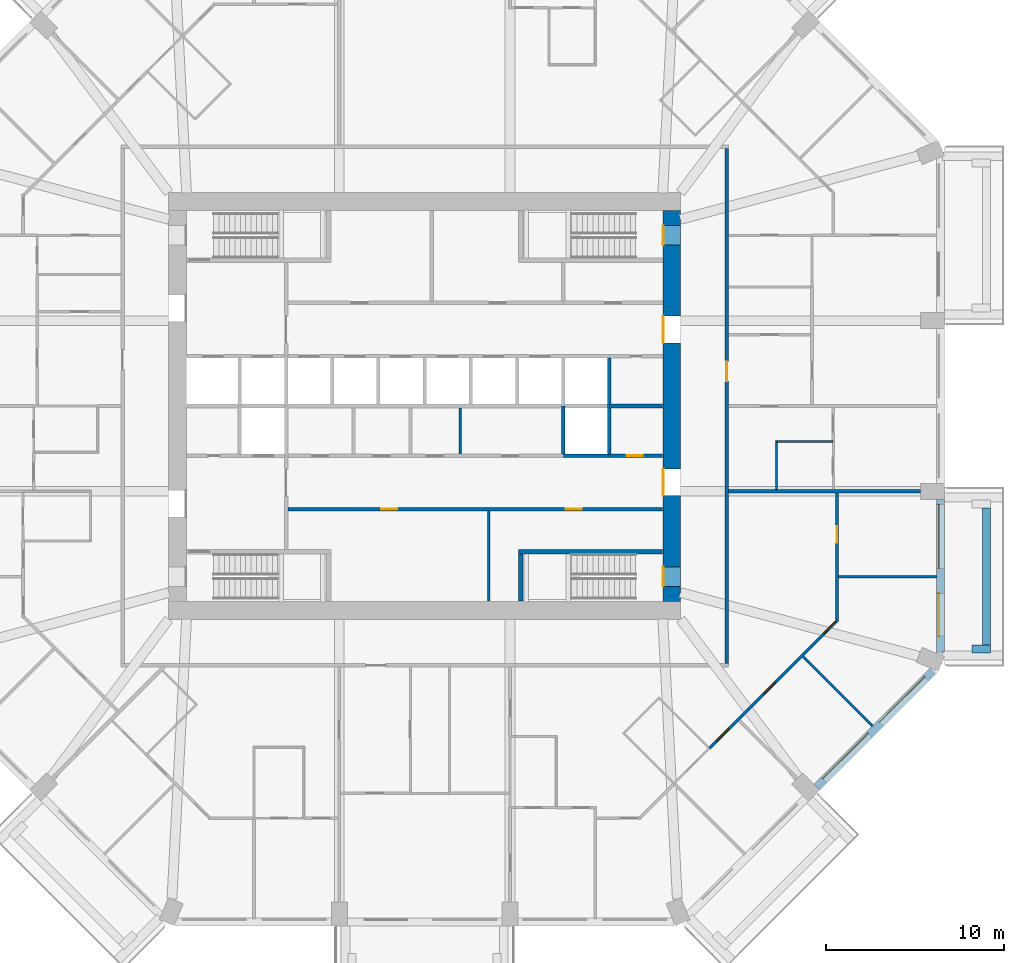
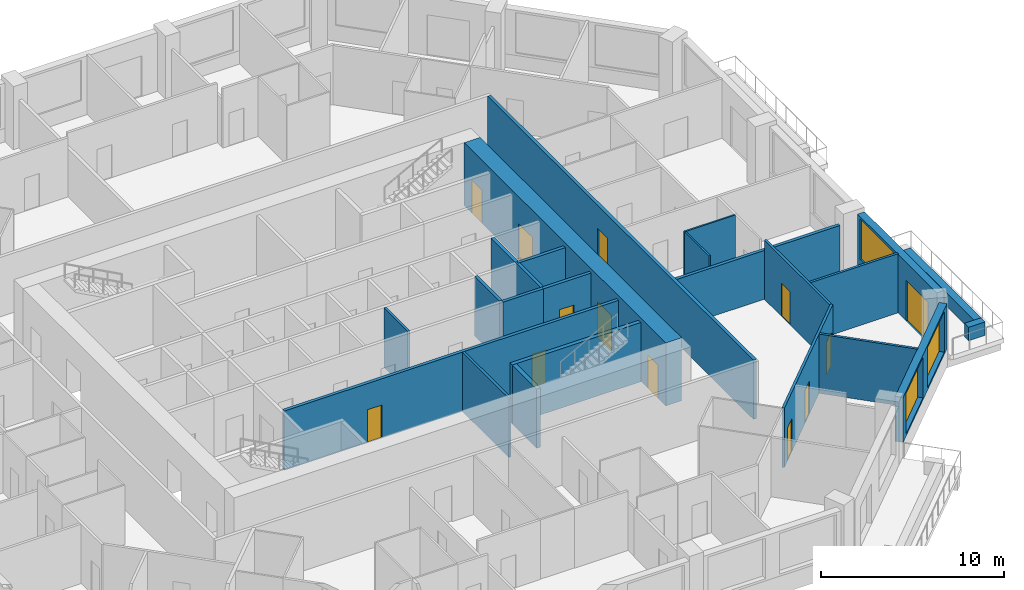
# One storey, part 6 of 13: 23 walls, 13 doors, 3 windows, 16 openings.
"""IFC4 building model written with IfcOpenShell, lengths in metres."""

from ifc_helpers import new_model, si_unit, direction, frame, frame_2d, origin, place, context, subcontext, project, spatial, rectangle, extrude, material, layer, layer_set, type_object, element, fill, save


model = new_model("IFC4")

# Units and contexts
model_context = context("Model", 3, precision=1e-05, world=origin(), true_north=direction((0.0, 1.0)))
body_context = subcontext(model_context, "Body", "Model", "MODEL_VIEW")
ifc_project = project(units=[si_unit("LENGTHUNIT", "METRE"), si_unit("AREAUNIT", "SQUARE_METRE"), si_unit("VOLUMEUNIT", "CUBIC_METRE"), si_unit("PLANEANGLEUNIT", "RADIAN"), si_unit("MASSUNIT", "GRAM", prefix="KILO")], contexts=[model_context])

# Site, building, storey
site_placement = place(None, origin())
site = spatial("IfcSite", under=ifc_project, at=site_placement, CompositionType="ELEMENT")
building_placement = place(site_placement, origin())
building = spatial("IfcBuilding", under=site, at=building_placement, Name="Msitu Wima Residences", CompositionType="ELEMENT")
storey_placement = place(building_placement, frame((0.0, 0.0, 59.10009765625)))
storey = spatial("IfcBuildingStorey", under=building, at=storey_placement, Name="L13", CompositionType="ELEMENT", Elevation=59.10009765625)

# Walls
ifc_material_1 = material(Name="Facing brick")
ifc_layer_1 = layer(ifc_material_1, 0.06494140625, Name="Facing brick")
ifc_material_2 = material(Name="Concrete C40/50", Category="concrete")
ifc_layer_2 = layer(ifc_material_2, 0.156005859375, Name="Concrete C40/50")
ifc_material_3 = material(Name="Waterproofing membrane")
ifc_layer_3 = layer(ifc_material_3, 0.00390625, Name="Waterproofing membrane")
ifc_material_4 = material(Name="Planting soil and planting")
ifc_layer_4 = layer(ifc_material_4, 0.22509765625, Name="Planting soil and planting")
ifc_layer_set_1 = layer_set([ifc_layer_1, ifc_layer_2, ifc_layer_3, ifc_layer_4], Name="Concrete C40/50")
wall_type_1 = type_object("IfcWallType", Name="Balcony planter PLANTER PL450", PredefinedType="USERDEFINED", material=ifc_layer_set_1)
wall_1_placement = place(storey_placement, frame((31.625, -13.449951171875, 0.0), z_axis=(0.0, 0.0, 1.0), x_axis=(0.0, 1.0, 0.0)))
element("IfcWall", 1, at=wall_1_placement, inside=storey, type_object=wall_type_1, Name="Balcony planter E0 L13", ObjectType="PLANTER", PredefinedType="USERDEFINED", context=body_context, shape_type="SweptSolid", body=[
    extrude(rectangle(XDim=7.699951171875, YDim=0.449951171875, at=frame_2d((3.85009765625, 0.0))), origin(), (0.0, 0.0, 1.0), 0.89990234375),
])
wall_2_placement = place(storey_placement, frame((30.800048828125, -13.675048828125, 0.0), z_axis=(0.0, 0.0, 1.0), x_axis=(1.0, 0.0, 0.0)))
element("IfcWall", 2, at=wall_2_placement, inside=storey, type_object=wall_type_1, Name="Balcony planter E0 L13", ObjectType="PLANTER", PredefinedType="USERDEFINED", context=body_context, shape_type="SweptSolid", body=[
    extrude(rectangle(XDim=1.050048828125, YDim=0.449951171875, at=frame_2d((0.52490234375, 0.0))), origin(), (0.0, 0.0, 1.0), 0.89990234375),
])

# Wall, openings, door, window
ifc_material_5 = material(Name="Brick (red buff mix)", Category="masonry")
ifc_layer_5 = layer(ifc_material_5, 0.449951171875)
ifc_layer_set_2 = layer_set([ifc_layer_5], Name="Brick (red buff mix)")
wall_type_2 = type_object("IfcWallType", Name="Brick infill wall BW450", PredefinedType="SOLIDWALL", material=ifc_layer_set_2)
wall_3_placement = place(storey_placement, frame((29.02490234375, -13.912841796875, 0.0), z_axis=(0.0, 0.0, 1.0), x_axis=(0.0, 1.0, 0.0)))
wall_3 = element("IfcWall", 3, at=wall_3_placement, inside=storey, type_object=wall_type_2, Name="Brick infill wall L13 E0", PredefinedType="SOLIDWALL", context=body_context, shape_type="SweptSolid", body=[
    extrude(rectangle(XDim=8.662841796875, YDim=0.449951171875, at=frame_2d((4.33154296875, 0.0))), origin(), (0.0, 0.0, 1.0), 3.89990234375),
])
opening_1_placement = place(wall_3_placement, frame((0.9658203125, 0.0, 0.0)))
opening_1 = element("IfcOpeningElement", 4, at=opening_1_placement, cuts=wall_3, Name="Opening D13-15.001", PredefinedType="OPENING", context=body_context, shape_type="SweptSolid", body=[
    extrude(rectangle(XDim=2.39990234375, YDim=2.699951171875, at=frame_2d((1.199951171875, 1.35009765625))), frame((0.0, 0.23486328125, 0.0), z_axis=(0.0, -1.0, 0.0), x_axis=(1.0, 0.0, 0.0)), (0.0, 0.0, 1.0), 0.469970703125),
])
opening_2_placement = place(wall_3_placement, frame((4.781494140625, 0.0, 1.050048828125)))
opening_2 = element("IfcOpeningElement", 5, at=opening_2_placement, cuts=wall_3, Name="Opening W13-15.001", PredefinedType="OPENING", context=body_context, shape_type="SweptSolid", body=[
    extrude(rectangle(XDim=3.60009765625, YDim=2.699951171875, at=frame_2d((1.800048828125, 1.35009765625))), frame((0.0, 0.23486328125, 0.0), z_axis=(0.0, -1.0, 0.0), x_axis=(1.0, 0.0, 0.0)), (0.0, 0.0, 1.0), 0.469970703125),
])
ifc_material_6 = material(Name="Anodised aluminium, bronze finish, clear low-emissivity double glazing", Category="aluminium")
door_type_1 = type_object("IfcDoorType", Name="Balcony door D2400x2700", OperationType="SLIDING_TO_LEFT", PredefinedType="DOOR", material=ifc_material_6)
door_1_placement = place(opening_1_placement, origin())
door_1 = element("IfcDoor", 6, at=door_1_placement, inside=storey, type_object=door_type_1, Name="Balcony door L13 E0", OperationType="SINGLE_SWING_LEFT", OverallHeight=2.699951171875, OverallWidth=2.39990234375, PredefinedType="DOOR", context=body_context, shape_type="SweptSolid", body=[
    extrude(rectangle(XDim=2.39990234375, YDim=2.699951171875, at=frame_2d((1.199951171875, 1.35009765625))), frame((0.0, 0.1298828125, 0.0), z_axis=(0.0, -1.0, 0.0), x_axis=(1.0, 0.0, 0.0)), (0.0, 0.0, 1.0), 0.050048828125),
])
fill(opening_1, door_1)
window_type = type_object("IfcWindowType", Name="Window W3600x2700", PartitioningType="DOUBLE_PANEL_VERTICAL", PredefinedType="WINDOW", material=ifc_material_6)
window_1_placement = place(opening_2_placement, origin())
window_1 = element("IfcWindow", 7, at=window_1_placement, inside=storey, type_object=window_type, Name="Window L13 E0.2", OverallHeight=2.699951171875, OverallWidth=3.60009765625, PartitioningType="SINGLE_PANEL", PredefinedType="WINDOW", context=body_context, shape_type="SweptSolid", body=[
    extrude(rectangle(XDim=3.60009765625, YDim=2.699951171875, at=frame_2d((1.800048828125, 1.35009765625))), frame((0.0, 0.135009765625, 0.0), z_axis=(0.0, -1.0, 0.0), x_axis=(1.0, 0.0, 0.0)), (0.0, 0.0, 1.0), 0.06005859375),
])
fill(opening_2, window_1)

# Wall, openings, windows
wall_4_placement = place(storey_placement, frame((22.077392578125, -21.44091796875, 0.89990234375), z_axis=(0.0, 0.0, 1.0), x_axis=(0.707106781187, 0.707106781187, 0.0)))
wall_4 = element("IfcWall", 8, at=wall_4_placement, inside=storey, type_object=wall_type_2, Name="Brick infill wall L13 SE1", PredefinedType="SOLIDWALL", context=body_context, shape_type="SweptSolid", body=[
    extrude(rectangle(XDim=9.2451171875, YDim=0.449951171875, at=frame_2d((4.62255859375, 0.0))), origin(), (0.0, 0.0, 1.0), 3.0),
])
opening_3_placement = place(wall_4_placement, frame((0.572509765625, 0.0, 0.14990234375)))
opening_3 = element("IfcOpeningElement", 9, at=opening_3_placement, cuts=wall_4, Name="Opening W13-15.022", PredefinedType="OPENING", context=body_context, shape_type="SweptSolid", body=[
    extrude(rectangle(XDim=3.60009765625, YDim=2.699951171875, at=frame_2d((1.800048828125, 1.35009765625))), frame((0.0, 0.23486328125, 0.0), z_axis=(0.0, -1.0, 0.0), x_axis=(1.0, 0.0, 0.0)), (0.0, 0.0, 1.0), 0.469970703125),
])
opening_4_placement = place(wall_4_placement, frame((5.072509765625, 0.0, 0.14990234375)))
opening_4 = element("IfcOpeningElement", 10, at=opening_4_placement, cuts=wall_4, Name="Opening W13-15.023", PredefinedType="OPENING", context=body_context, shape_type="SweptSolid", body=[
    extrude(rectangle(XDim=3.60009765625, YDim=2.699951171875, at=frame_2d((1.800048828125, 1.35009765625))), frame((0.0, 0.23486328125, 0.0), z_axis=(0.0, -1.0, 0.0), x_axis=(1.0, 0.0, 0.0)), (0.0, 0.0, 1.0), 0.469970703125),
])
window_2_placement = place(opening_3_placement, origin())
window_2 = element("IfcWindow", 11, at=window_2_placement, inside=storey, type_object=window_type, Name="Window L13 SE1.1", OverallHeight=2.699951171875, OverallWidth=3.60009765625, PartitioningType="SINGLE_PANEL", PredefinedType="WINDOW", context=body_context, shape_type="SweptSolid", body=[
    extrude(rectangle(XDim=3.60009765625, YDim=2.699951171875, at=frame_2d((1.800048828125, 1.35009765625))), frame((0.0, 0.135009765625, 0.0), z_axis=(0.0, -1.0, 0.0), x_axis=(1.0, 0.0, 0.0)), (0.0, 0.0, 1.0), 0.06005859375),
])
fill(opening_3, window_2)
window_3_placement = place(opening_4_placement, origin())
window_3 = element("IfcWindow", 12, at=window_3_placement, inside=storey, type_object=window_type, Name="Window L13 SE1.2", OverallHeight=2.699951171875, OverallWidth=3.60009765625, PartitioningType="SINGLE_PANEL", PredefinedType="WINDOW", context=body_context, shape_type="SweptSolid", body=[
    extrude(rectangle(XDim=3.60009765625, YDim=2.699951171875, at=frame_2d((1.800048828125, 1.35009765625))), frame((0.0, 0.135009765625, 0.0), z_axis=(0.0, -1.0, 0.0), x_axis=(1.0, 0.0, 0.0)), (0.0, 0.0, 1.0), 0.06005859375),
])
fill(opening_4, window_3)

# Wall, openings, doors
ifc_material_7 = material(Name="Concrete C80/95", Category="concrete")
ifc_layer_6 = layer(ifc_material_7, 1.0)
ifc_layer_set_3 = layer_set([ifc_layer_6], Name="Concrete C80/95")
wall_type_3 = type_object("IfcWallType", Name="Core wall CW1000 C80/95", PredefinedType="SHEAR", material=ifc_layer_set_3)
wall_5_placement = place(storey_placement, frame((13.89990234375, -11.0, 0.0), z_axis=(0.0, 0.0, 1.0), x_axis=(0.0, 1.0, 0.0)))
wall_5 = element("IfcWall", 13, at=wall_5_placement, inside=storey, type_object=wall_type_3, Name="Core wall", PredefinedType="SHEAR", context=body_context, shape_type="SweptSolid", body=[
    extrude(rectangle(XDim=22.0, YDim=1.0, at=frame_2d((11.0, 0.0))), origin(), (0.0, 0.0, 1.0), 4.199951171875),
])
opening_5_placement = place(wall_5_placement, frame((20.050048828125, 0.0, 0.0)))
opening_5 = element("IfcOpeningElement", 14, at=opening_5_placement, cuts=wall_5, Name="Opening D13-15.036", PredefinedType="OPENING", context=body_context, shape_type="SweptSolid", body=[
    extrude(rectangle(XDim=1.10009765625, YDim=2.199951171875, at=frame_2d((0.550048828125, 1.10009765625))), frame((0.0, 0.510009765625, 0.0), z_axis=(0.0, -1.0, 0.0), x_axis=(1.0, 0.0, 0.0)), (0.0, 0.0, 1.0), 1.02001953125),
])
opening_6_placement = place(wall_5_placement, frame((0.85009765625, 0.0, 0.0)))
opening_6 = element("IfcOpeningElement", 15, at=opening_6_placement, cuts=wall_5, Name="Opening D13-15.037", PredefinedType="OPENING", context=body_context, shape_type="SweptSolid", body=[
    extrude(rectangle(XDim=1.10009765625, YDim=2.199951171875, at=frame_2d((0.550048828125, 1.10009765625))), frame((0.0, 0.510009765625, 0.0), z_axis=(0.0, -1.0, 0.0), x_axis=(1.0, 0.0, 0.0)), (0.0, 0.0, 1.0), 1.02001953125),
])
opening_7_placement = place(wall_5_placement, frame((14.550048828125, 0.0, 0.0)))
opening_7 = element("IfcOpeningElement", 16, at=opening_7_placement, cuts=wall_5, Name="Opening D13-15.024", PredefinedType="OPENING", context=body_context, shape_type="SweptSolid", body=[
    extrude(rectangle(XDim=1.5, YDim=2.39990234375, at=frame_2d((0.75, 1.199951171875))), frame((0.0, 0.510009765625, 0.0), z_axis=(0.0, -1.0, 0.0), x_axis=(1.0, 0.0, 0.0)), (0.0, 0.0, 1.0), 1.02001953125),
])
opening_8_placement = place(wall_5_placement, frame((5.949951171875, 0.0, 0.0)))
opening_8 = element("IfcOpeningElement", 17, at=opening_8_placement, cuts=wall_5, Name="Opening D13-15.025", PredefinedType="OPENING", context=body_context, shape_type="SweptSolid", body=[
    extrude(rectangle(XDim=1.5, YDim=2.39990234375, at=frame_2d((0.75, 1.199951171875))), frame((0.0, 0.510009765625, 0.0), z_axis=(0.0, -1.0, 0.0), x_axis=(1.0, 0.0, 0.0)), (0.0, 0.0, 1.0), 1.02001953125),
])
ifc_material_8 = material(Name="Steel framed glazed door, fire resisting", Category="steel")
door_type_2 = type_object("IfcDoorType", Name="Lobby door D07 1500x2400", OperationType="DOUBLE_DOOR_SINGLE_SWING", PredefinedType="DOOR", material=ifc_material_8)
door_2_placement = place(opening_7_placement, origin())
door_2 = element("IfcDoor", 18, at=door_2_placement, inside=storey, type_object=door_type_2, Name="Lobby door", OperationType="DOUBLE_DOOR_SINGLE_SWING", OverallHeight=2.39990234375, OverallWidth=1.5, PredefinedType="DOOR", context=body_context, shape_type="SweptSolid", body=[
    extrude(rectangle(XDim=1.5, YDim=2.39990234375, at=frame_2d((0.75, 1.199951171875))), frame((0.0, 0.4951171875, 0.0), z_axis=(0.0, -1.0, 0.0), x_axis=(1.0, 0.0, 0.0)), (0.0, 0.0, 1.0), 0.050048828125),
])
fill(opening_7, door_2)
door_3_placement = place(opening_8_placement, origin())
door_3 = element("IfcDoor", 19, at=door_3_placement, inside=storey, type_object=door_type_2, Name="Lobby door", OperationType="DOUBLE_DOOR_SINGLE_SWING", OverallHeight=2.39990234375, OverallWidth=1.5, PredefinedType="DOOR", context=body_context, shape_type="SweptSolid", body=[
    extrude(rectangle(XDim=1.5, YDim=2.39990234375, at=frame_2d((0.75, 1.199951171875))), frame((0.0, 0.4951171875, 0.0), z_axis=(0.0, -1.0, 0.0), x_axis=(1.0, 0.0, 0.0)), (0.0, 0.0, 1.0), 0.050048828125),
])
fill(opening_8, door_3)
ifc_material_9 = material(Name="Steel door, fire resisting, panic bar", Category="steel")
door_type_3 = type_object("IfcDoorType", Name="Stair door D06 1100x2200", OperationType="SINGLE_SWING_LEFT", PredefinedType="DOOR", material=ifc_material_9)
door_4_placement = place(opening_5_placement, origin())
door_4 = element("IfcDoor", 20, at=door_4_placement, inside=storey, type_object=door_type_3, Name="Stair door", OperationType="SINGLE_SWING_LEFT", OverallHeight=2.199951171875, OverallWidth=1.10009765625, PredefinedType="DOOR", context=body_context, shape_type="SweptSolid", body=[
    extrude(rectangle(XDim=1.10009765625, YDim=2.199951171875, at=frame_2d((0.550048828125, 1.10009765625))), frame((0.0, 0.4951171875, 0.0), z_axis=(0.0, -1.0, 0.0), x_axis=(1.0, 0.0, 0.0)), (0.0, 0.0, 1.0), 0.050048828125),
])
fill(opening_5, door_4)
door_5_placement = place(opening_6_placement, origin())
door_5 = element("IfcDoor", 21, at=door_5_placement, inside=storey, type_object=door_type_3, Name="Stair door", OperationType="SINGLE_SWING_RIGHT", OverallHeight=2.199951171875, OverallWidth=1.10009765625, PredefinedType="DOOR", context=body_context, shape_type="SweptSolid", body=[
    extrude(rectangle(XDim=1.10009765625, YDim=2.199951171875, at=frame_2d((0.550048828125, 1.10009765625))), frame((0.0, 0.4951171875, 0.0), z_axis=(0.0, -1.0, 0.0), x_axis=(1.0, 0.0, 0.0)), (0.0, 0.0, 1.0), 0.050048828125),
])
fill(opening_6, door_5)

ifc_material_10 = material(Name="Plaster")
ifc_layer_7 = layer(ifc_material_10, 0.011962890625, Name="Plaster")
ifc_material_11 = material(Name="Concrete blockwork", Category="masonry")
ifc_layer_8 = layer(ifc_material_11, 0.176025390625, Name="Concrete blockwork")
ifc_layer_9 = layer(ifc_material_10, 0.011962890625, Name="Plaster")
ifc_layer_set_4 = layer_set([ifc_layer_7, ifc_layer_8, ifc_layer_9], Name="Concrete blockwork")
wall_type_4 = type_object("IfcWallType", Name="Corridor wall FW200", PredefinedType="PARTITIONING", material=ifc_layer_set_4)
wall_6_placement = place(storey_placement, frame((-7.699951171875, -5.800048828125, 0.0), z_axis=(0.0, 0.0, 1.0), x_axis=(1.0, 0.0, 0.0)))
wall_6 = element("IfcWall", 22, at=wall_6_placement, inside=storey, type_object=wall_type_4, Name="Corridor wall", PredefinedType="PARTITIONING", context=body_context, shape_type="SweptSolid", body=[
    extrude(rectangle(XDim=21.070068359375, YDim=0.199951171875, at=frame_2d((10.53515625, 0.0))), origin(), (0.0, 0.0, 1.0), 3.949951171875),
])
opening_9_placement = place(wall_6_placement, frame((5.25, 0.0, 0.0)))
opening_9 = element("IfcOpeningElement", 23, at=opening_9_placement, cuts=wall_6, Name="Opening D13-15.022", PredefinedType="OPENING", context=body_context, shape_type="SweptSolid", body=[
    extrude(rectangle(XDim=0.89990234375, YDim=2.199951171875, at=frame_2d((0.449951171875, 1.10009765625))), frame((0.0, 0.10986328125, 0.0), z_axis=(0.0, -1.0, 0.0), x_axis=(1.0, 0.0, 0.0)), (0.0, 0.0, 1.0), 0.219970703125),
])
opening_10_placement = place(wall_6_placement, frame((15.64990234375, 0.0, 0.0)))
opening_10 = element("IfcOpeningElement", 24, at=opening_10_placement, cuts=wall_6, Name="Opening D13-15.023", PredefinedType="OPENING", context=body_context, shape_type="SweptSolid", body=[
    extrude(rectangle(XDim=0.89990234375, YDim=2.199951171875, at=frame_2d((0.449951171875, 1.10009765625))), frame((0.0, 0.10986328125, 0.0), z_axis=(0.0, -1.0, 0.0), x_axis=(1.0, 0.0, 0.0)), (0.0, 0.0, 1.0), 0.219970703125),
])
ifc_material_12 = material(Name="Timber flush door", Category="wood")
door_type_4 = type_object("IfcDoorType", Name="Service door D05 900x2200", OperationType="SINGLE_SWING_LEFT", PredefinedType="DOOR", material=ifc_material_12)
door_6_placement = place(opening_9_placement, origin())
door_6 = element("IfcDoor", 25, at=door_6_placement, inside=storey, type_object=door_type_4, Name="Service door", OperationType="SINGLE_SWING_RIGHT", OverallHeight=2.199951171875, OverallWidth=0.89990234375, PredefinedType="DOOR", context=body_context, shape_type="SweptSolid", body=[
    extrude(rectangle(XDim=0.89990234375, YDim=2.199951171875, at=frame_2d((0.449951171875, 1.10009765625))), frame((0.0, 0.02490234375, 0.0), z_axis=(0.0, -1.0, 0.0), x_axis=(1.0, 0.0, 0.0)), (0.0, 0.0, 1.0), 0.050048828125),
])
fill(opening_9, door_6)
door_7_placement = place(opening_10_placement, origin())
door_7 = element("IfcDoor", 26, at=door_7_placement, inside=storey, type_object=door_type_4, Name="Service door", OperationType="SINGLE_SWING_LEFT", OverallHeight=2.199951171875, OverallWidth=0.89990234375, PredefinedType="DOOR", context=body_context, shape_type="SweptSolid", body=[
    extrude(rectangle(XDim=0.89990234375, YDim=2.199951171875, at=frame_2d((0.449951171875, 1.10009765625))), frame((0.0, 0.02490234375, 0.0), z_axis=(0.0, -1.0, 0.0), x_axis=(1.0, 0.0, 0.0)), (0.0, 0.0, 1.0), 0.050048828125),
])
fill(opening_10, door_7)

# Wall, opening, door
wall_7_placement = place(storey_placement, frame((17.0, -14.5, 0.0), z_axis=(0.0, 0.0, 1.0), x_axis=(0.0, 1.0, 0.0)))
wall_7 = element("IfcWall", 27, at=wall_7_placement, inside=storey, type_object=wall_type_4, Name="Corridor wall", PredefinedType="PARTITIONING", context=body_context, shape_type="SweptSolid", body=[
    extrude(rectangle(XDim=29.0, YDim=0.199951171875, at=frame_2d((14.5, 0.0))), origin(), (0.0, 0.0, 1.0), 3.949951171875),
])
opening_11_placement = place(wall_7_placement, frame((15.89990234375, 0.0, 0.0)))
opening_11 = element("IfcOpeningElement", 28, at=opening_11_placement, cuts=wall_7, Name="Opening D13-15.011", PredefinedType="OPENING", context=body_context, shape_type="SweptSolid", body=[
    extrude(rectangle(XDim=1.10009765625, YDim=2.39990234375, at=frame_2d((0.550048828125, 1.199951171875))), frame((0.0, 0.10986328125, 0.0), z_axis=(0.0, -1.0, 0.0), x_axis=(1.0, 0.0, 0.0)), (0.0, 0.0, 1.0), 0.219970703125),
])
ifc_material_13 = material(Name="Timber flush door, fire resisting, self-closing", Category="wood")
door_type_5 = type_object("IfcDoorType", Name="Flat entrance door D01 1100x2400", OperationType="SINGLE_SWING_LEFT", PredefinedType="DOOR", material=ifc_material_13)
door_8_placement = place(opening_11_placement, origin())
door_8 = element("IfcDoor", 29, at=door_8_placement, inside=storey, type_object=door_type_5, Name="Flat entrance door", OperationType="SINGLE_SWING_RIGHT", OverallHeight=2.39990234375, OverallWidth=1.10009765625, PredefinedType="DOOR", context=body_context, shape_type="SweptSolid", body=[
    extrude(rectangle(XDim=1.10009765625, YDim=2.39990234375, at=frame_2d((0.550048828125, 1.199951171875))), frame((0.0, 0.02490234375, 0.0), z_axis=(0.0, -1.0, 0.0), x_axis=(1.0, 0.0, 0.0)), (0.0, 0.0, 1.0), 0.050048828125),
])
fill(opening_11, door_8)

# Walls
ifc_layer_10 = layer(ifc_material_10, 0.011962890625, Name="Plaster")
ifc_layer_11 = layer(ifc_material_11, 0.1259765625, Name="Concrete blockwork")
ifc_layer_12 = layer(ifc_material_10, 0.011962890625, Name="Plaster")
ifc_layer_set_5 = layer_set([ifc_layer_10, ifc_layer_11, ifc_layer_12], Name="Concrete blockwork")
wall_type_5 = type_object("IfcWallType", Name="Partition PW150", PredefinedType="PARTITIONING", material=ifc_layer_set_5)
wall_8_placement = place(storey_placement, frame((2.0, -2.699951171875, 0.0), z_axis=(0.0, 0.0, 1.0), x_axis=(0.0, 1.0, 0.0)))
element("IfcWall", 30, at=wall_8_placement, inside=storey, type_object=wall_type_5, Name="Partition", PredefinedType="PARTITIONING", context=body_context, shape_type="SweptSolid", body=[
    extrude(rectangle(XDim=2.599853515625, YDim=0.14990234375, at=frame_2d((1.2998046875, 0.0))), origin(), (0.0, 0.0, 1.0), 3.949951171875),
])
wall_9_placement = place(storey_placement, frame((3.60009765625, -10.969970703125, 0.0), z_axis=(0.0, 0.0, 1.0), x_axis=(0.0, 1.0, 0.0)))
element("IfcWall", 31, at=wall_9_placement, inside=storey, type_object=wall_type_5, Name="Partition", PredefinedType="PARTITIONING", context=body_context, shape_type="SweptSolid", body=[
    extrude(rectangle(XDim=5.070068359375, YDim=0.14990234375, at=frame_2d((2.53515625, 0.0))), origin(), (0.0, 0.0, 1.0), 3.949951171875),
])

# Wall, openings, doors
wall_10_placement = place(storey_placement, frame((16.02001953125, -19.26025390625, 0.0), z_axis=(0.0, 0.0, 1.0), x_axis=(0.707106781187, 0.707106781187, 0.0)))
wall_10 = element("IfcWall", 32, at=wall_10_placement, inside=storey, type_object=wall_type_5, Name="Partition", PredefinedType="PARTITIONING", context=body_context, shape_type="SweptSolid", body=[
    extrude(rectangle(XDim=10.228759765625, YDim=0.14990234375, at=frame_2d((5.1142578125, 0.0))), origin(), (0.0, 0.0, 1.0), 3.949951171875),
])
opening_12_placement = place(wall_10_placement, frame((4.300048828125, 0.0, 0.0)))
opening_12 = element("IfcOpeningElement", 33, at=opening_12_placement, cuts=wall_10, Name="Opening D13-15.077", PredefinedType="OPENING", context=body_context, shape_type="SweptSolid", body=[
    extrude(rectangle(XDim=0.949951171875, YDim=2.199951171875, at=frame_2d((0.47509765625, 1.10009765625))), frame((0.0, 0.0849609375, 0.0), z_axis=(0.0, -1.0, 0.0), x_axis=(1.0, 0.0, 0.0)), (0.0, 0.0, 1.0), 0.169921875),
])
opening_13_placement = place(wall_10_placement, frame((0.60009765625, 0.0, 0.0)))
opening_13 = element("IfcOpeningElement", 34, at=opening_13_placement, cuts=wall_10, Name="Opening D13-15.078", PredefinedType="OPENING", context=body_context, shape_type="SweptSolid", body=[
    extrude(rectangle(XDim=0.949951171875, YDim=2.199951171875, at=frame_2d((0.47509765625, 1.10009765625))), frame((0.0, 0.0849609375, 0.0), z_axis=(0.0, -1.0, 0.0), x_axis=(1.0, 0.0, 0.0)), (0.0, 0.0, 1.0), 0.169921875),
])
opening_14_placement = place(wall_10_placement, frame((9.10009765625, 0.0, 0.0)))
opening_14 = element("IfcOpeningElement", 35, at=opening_14_placement, cuts=wall_10, Name="Opening D13-15.081", PredefinedType="OPENING", context=body_context, shape_type="SweptSolid", body=[
    extrude(rectangle(XDim=0.949951171875, YDim=2.199951171875, at=frame_2d((0.47509765625, 1.10009765625))), frame((0.0, 0.0849609375, 0.0), z_axis=(0.0, -1.0, 0.0), x_axis=(1.0, 0.0, 0.0)), (0.0, 0.0, 1.0), 0.169921875),
])
door_type_6 = type_object("IfcDoorType", Name="Room door D12 950x2200", OperationType="SINGLE_SWING_LEFT", PredefinedType="DOOR", material=ifc_material_12)
door_9_placement = place(opening_12_placement, origin())
door_9 = element("IfcDoor", 36, at=door_9_placement, inside=storey, type_object=door_type_6, Name="Room door", OperationType="SINGLE_SWING_RIGHT", OverallHeight=2.199951171875, OverallWidth=0.949951171875, PredefinedType="DOOR", context=body_context, shape_type="SweptSolid", body=[
    extrude(rectangle(XDim=0.949951171875, YDim=2.199951171875, at=frame_2d((0.47509765625, 1.10009765625))), frame((0.0, 0.02490234375, 0.0), z_axis=(0.0, -1.0, 0.0), x_axis=(1.0, 0.0, 0.0)), (0.0, 0.0, 1.0), 0.050048828125),
])
fill(opening_12, door_9)
door_10_placement = place(opening_13_placement, origin())
door_10 = element("IfcDoor", 37, at=door_10_placement, inside=storey, type_object=door_type_6, Name="Room door", OperationType="SINGLE_SWING_LEFT", OverallHeight=2.199951171875, OverallWidth=0.949951171875, PredefinedType="DOOR", context=body_context, shape_type="SweptSolid", body=[
    extrude(rectangle(XDim=0.949951171875, YDim=2.199951171875, at=frame_2d((0.47509765625, 1.10009765625))), frame((0.0, 0.02490234375, 0.0), z_axis=(0.0, -1.0, 0.0), x_axis=(1.0, 0.0, 0.0)), (0.0, 0.0, 1.0), 0.050048828125),
])
fill(opening_13, door_10)
door_11_placement = place(opening_14_placement, origin())
door_11 = element("IfcDoor", 38, at=door_11_placement, inside=storey, type_object=door_type_6, Name="Room door", OperationType="SINGLE_SWING_RIGHT", OverallHeight=2.199951171875, OverallWidth=0.949951171875, PredefinedType="DOOR", context=body_context, shape_type="SweptSolid", body=[
    extrude(rectangle(XDim=0.949951171875, YDim=2.199951171875, at=frame_2d((0.47509765625, 1.10009765625))), frame((0.0, 0.02490234375, 0.0), z_axis=(0.0, -1.0, 0.0), x_axis=(1.0, 0.0, 0.0)), (0.0, 0.0, 1.0), 0.050048828125),
])
fill(opening_14, door_11)

# Wall
wall_11_placement = place(storey_placement, frame((21.293212890625, -14.09326171875, 0.0), z_axis=(0.0, 0.0, 1.0), x_axis=(0.707128775519, -0.70708478617, 0.0)))
element("IfcWall", 39, at=wall_11_placement, inside=storey, type_object=wall_type_5, Name="Partition", PredefinedType="PARTITIONING", context=body_context, shape_type="SweptSolid", body=[
    extrude(rectangle(XDim=5.550048828125, YDim=0.14990234375, at=frame_2d((2.77490234375, 0.0))), origin(), (0.0, 0.0, 1.0), 3.949951171875),
])

# Wall, opening, door
wall_12_placement = place(storey_placement, frame((23.199951171875, -12.00537109375, 0.0), z_axis=(0.0, 0.0, 1.0), x_axis=(0.0, 1.0, 0.0)))
wall_12 = element("IfcWall", 40, at=wall_12_placement, inside=storey, type_object=wall_type_5, Name="Partition", PredefinedType="PARTITIONING", context=body_context, shape_type="SweptSolid", body=[
    extrude(rectangle(XDim=7.10546875, YDim=0.14990234375, at=frame_2d((3.552734375, 0.0))), origin(), (0.0, 0.0, 1.0), 3.949951171875),
])
opening_15_placement = place(wall_12_placement, frame((4.300048828125, 0.0, 0.0)))
opening_15 = element("IfcOpeningElement", 41, at=opening_15_placement, cuts=wall_12, Name="Opening D13-15.083", PredefinedType="OPENING", context=body_context, shape_type="SweptSolid", body=[
    extrude(rectangle(XDim=0.949951171875, YDim=2.199951171875, at=frame_2d((0.47509765625, 1.10009765625))), frame((0.0, 0.0849609375, 0.0), z_axis=(0.0, -1.0, 0.0), x_axis=(1.0, 0.0, 0.0)), (0.0, 0.0, 1.0), 0.169921875),
])
door_12_placement = place(opening_15_placement, origin())
door_12 = element("IfcDoor", 42, at=door_12_placement, inside=storey, type_object=door_type_6, Name="Room door", OperationType="SINGLE_SWING_RIGHT", OverallHeight=2.199951171875, OverallWidth=0.949951171875, PredefinedType="DOOR", context=body_context, shape_type="SweptSolid", body=[
    extrude(rectangle(XDim=0.949951171875, YDim=2.199951171875, at=frame_2d((0.47509765625, 1.10009765625))), frame((0.0, 0.02490234375, 0.0), z_axis=(0.0, -1.0, 0.0), x_axis=(1.0, 0.0, 0.0)), (0.0, 0.0, 1.0), 0.050048828125),
])
fill(opening_15, door_12)

# Walls
wall_13_placement = place(storey_placement, frame((23.27490234375, -9.60009765625, 0.0), z_axis=(0.0, 0.0, 1.0), x_axis=(1.0, 0.0, 0.0)))
element("IfcWall", 43, at=wall_13_placement, inside=storey, type_object=wall_type_5, Name="Partition", PredefinedType="PARTITIONING", context=body_context, shape_type="SweptSolid", body=[
    extrude(rectangle(XDim=5.550048828125, YDim=0.14990234375, at=frame_2d((2.77490234375, 0.0))), origin(), (0.0, 0.0, 1.0), 3.949951171875),
])
ifc_layer_13 = layer(ifc_material_10, 0.011962890625, Name="Plaster")
ifc_material_14 = material(Name="Dense concrete blockwork", Category="masonry")
ifc_layer_14 = layer(ifc_material_14, 0.176025390625, Name="Dense concrete blockwork")
ifc_layer_15 = layer(ifc_material_10, 0.011962890625, Name="Plaster")
ifc_layer_set_6 = layer_set([ifc_layer_13, ifc_layer_14, ifc_layer_15], Name="Dense concrete blockwork")
wall_type_6 = type_object("IfcWallType", Name="Party wall PW200", PredefinedType="PARTITIONING", material=ifc_layer_set_6)
wall_14_placement = place(storey_placement, frame((17.10009765625, -4.800048828125, 0.0), z_axis=(0.0, 0.0, 1.0), x_axis=(1.0, 0.0, 0.0)))
element("IfcWall", 44, at=wall_14_placement, inside=storey, type_object=wall_type_6, Name="Party wall", PredefinedType="PARTITIONING", context=body_context, shape_type="SweptSolid", body=[
    extrude(rectangle(XDim=10.7998046875, YDim=0.199951171875, at=frame_2d((5.39990234375, 0.0))), origin(), (0.0, 0.0, 1.0), 3.25),
])

# Wall, opening, door
ifc_layer_16 = layer(ifc_material_10, 0.011962890625, Name="Plaster")
ifc_material_15 = material(Name="Reinforced concrete blockwork", Category="masonry")
ifc_layer_17 = layer(ifc_material_15, 0.176025390625, Name="Reinforced concrete blockwork")
ifc_layer_18 = layer(ifc_material_10, 0.011962890625, Name="Plaster")
ifc_layer_set_7 = layer_set([ifc_layer_16, ifc_layer_17, ifc_layer_18], Name="Reinforced concrete blockwork")
wall_type_7 = type_object("IfcWallType", Name="Plant and riser wall PL200", PredefinedType="PARTITIONING", material=ifc_layer_set_7)
wall_15_placement = place(storey_placement, frame((10.3798828125, -2.800048828125, 0.0), z_axis=(0.0, 0.0, 1.0), x_axis=(1.0, 0.0, 0.0)))
wall_15 = element("IfcWall", 45, at=wall_15_placement, inside=storey, type_object=wall_type_7, Name="Plant and riser wall", PredefinedType="PARTITIONING", context=body_context, shape_type="SweptSolid", body=[
    extrude(rectangle(XDim=2.990234375, YDim=0.199951171875, at=frame_2d((1.4951171875, 0.0))), origin(), (0.0, 0.0, 1.0), 3.949951171875),
])
opening_16_placement = place(wall_15_placement, frame((1.0, 0.0, 0.0)))
opening_16 = element("IfcOpeningElement", 46, at=opening_16_placement, cuts=wall_15, Name="Opening D13-15.014", PredefinedType="OPENING", context=body_context, shape_type="SweptSolid", body=[
    extrude(rectangle(XDim=0.89990234375, YDim=2.199951171875, at=frame_2d((0.449951171875, 1.10009765625))), frame((0.0, 0.10986328125, 0.0), z_axis=(0.0, -1.0, 0.0), x_axis=(1.0, 0.0, 0.0)), (0.0, 0.0, 1.0), 0.219970703125),
])
door_13_placement = place(opening_16_placement, origin())
door_13 = element("IfcDoor", 47, at=door_13_placement, inside=storey, type_object=door_type_4, Name="Service door", OperationType="SINGLE_SWING_LEFT", OverallHeight=2.199951171875, OverallWidth=0.89990234375, PredefinedType="DOOR", context=body_context, shape_type="SweptSolid", body=[
    extrude(rectangle(XDim=0.89990234375, YDim=2.199951171875, at=frame_2d((0.449951171875, 1.10009765625))), frame((0.0, 0.02490234375, 0.0), z_axis=(0.0, -1.0, 0.0), x_axis=(1.0, 0.0, 0.0)), (0.0, 0.0, 1.0), 0.050048828125),
])
fill(opening_16, door_13)

# Walls
wall_16_placement = place(storey_placement, frame((10.39990234375, 0.0, 0.0), z_axis=(0.0, 0.0, 1.0), x_axis=(1.0, 0.0, 0.0)))
element("IfcWall", 48, at=wall_16_placement, inside=storey, type_object=wall_type_7, Name="Plant and riser wall", PredefinedType="PARTITIONING", context=body_context, shape_type="SweptSolid", body=[
    extrude(rectangle(XDim=2.97021484375, YDim=0.199951171875, at=frame_2d((1.485107421875, 0.0))), origin(), (0.0, 0.0, 1.0), 3.949951171875),
])
ifc_material_16 = material(Name="Fire-rated board")
ifc_layer_19 = layer(ifc_material_16, 0.02490234375, Name="Fire-rated board")
ifc_material_17 = material(Name="Light-gauge stud framing with mineral wool")
ifc_layer_20 = layer(ifc_material_17, 0.14990234375, Name="Light-gauge stud framing with mineral wool")
ifc_layer_21 = layer(ifc_material_16, 0.02490234375, Name="Fire-rated board")
ifc_layer_set_8 = layer_set([ifc_layer_19, ifc_layer_20, ifc_layer_21], Name="Light-gauge stud framing with mineral wool")
wall_type_8 = type_object("IfcWallType", Name="Shaft wall SH200", PredefinedType="PARTITIONING", material=ifc_layer_set_8)
wall_17_placement = place(storey_placement, frame((7.800048828125, -2.699951171875, 0.0), z_axis=(0.0, 0.0, 1.0), x_axis=(0.0, 1.0, 0.0)))
element("IfcWall", 49, at=wall_17_placement, inside=storey, type_object=wall_type_8, Name="Shaft wall", PredefinedType="PARTITIONING", context=body_context, shape_type="SweptSolid", body=[
    extrude(rectangle(XDim=2.699951171875, YDim=0.199951171875, at=frame_2d((1.35009765625, 0.0))), origin(), (0.0, 0.0, 1.0), 3.949951171875),
])
wall_18_placement = place(storey_placement, frame((7.820068359375, -2.800048828125, 0.0), z_axis=(0.0, 0.0, 1.0), x_axis=(1.0, 0.0, 0.0)))
element("IfcWall", 50, at=wall_18_placement, inside=storey, type_object=wall_type_8, Name="Shaft wall", PredefinedType="PARTITIONING", context=body_context, shape_type="SweptSolid", body=[
    extrude(rectangle(XDim=2.559814453125, YDim=0.199951171875, at=frame_2d((1.27978515625, 0.0))), origin(), (0.0, 0.0, 1.0), 3.949951171875),
])
wall_19_placement = place(storey_placement, frame((10.39990234375, -2.699951171875, 0.0), z_axis=(0.0, 0.0, 1.0), x_axis=(0.0, 1.0, 0.0)))
element("IfcWall", 51, at=wall_19_placement, inside=storey, type_object=wall_type_8, Name="Shaft wall", PredefinedType="PARTITIONING", context=body_context, shape_type="SweptSolid", body=[
    extrude(rectangle(XDim=5.39990234375, YDim=0.199951171875, at=frame_2d((2.699951171875, 0.0))), origin(), (0.0, 0.0, 1.0), 3.949951171875),
])
ifc_material_18 = material(Name="Concrete C50/60", Category="concrete")
ifc_layer_22 = layer(ifc_material_18, 0.25)
ifc_layer_set_9 = layer_set([ifc_layer_22], Name="Concrete C50/60")
wall_type_9 = type_object("IfcWallType", Name="Stair enclosure wall SW250", PredefinedType="SHEAR", material=ifc_layer_set_9)
wall_20_placement = place(storey_placement, frame((5.39990234375, -10.969970703125, 0.0), z_axis=(0.0, 0.0, 1.0), x_axis=(0.0, 1.0, 0.0)))
element("IfcWall", 52, at=wall_20_placement, inside=storey, type_object=wall_type_9, Name="Stair enclosure wall", PredefinedType="SHEAR", context=body_context, shape_type="SweptSolid", body=[
    extrude(rectangle(XDim=2.64501953125, YDim=0.25, at=frame_2d((1.322509765625, 0.0))), origin(), (0.0, 0.0, 1.0), 3.949951171875),
])
wall_21_placement = place(storey_placement, frame((5.27490234375, -8.199951171875, 0.0), z_axis=(0.0, 0.0, 1.0), x_axis=(1.0, 0.0, 0.0)))
element("IfcWall", 53, at=wall_21_placement, inside=storey, type_object=wall_type_9, Name="Stair enclosure wall", PredefinedType="SHEAR", context=body_context, shape_type="SweptSolid", body=[
    extrude(rectangle(XDim=8.09521484375, YDim=0.25, at=frame_2d((4.047607421875, 0.0))), origin(), (0.0, 0.0, 1.0), 3.949951171875),
])
ifc_material_19 = material(Name="Ceramic tiles")
ifc_layer_23 = layer(ifc_material_19, 0.008056640625, Name="Ceramic tiles")
ifc_material_20 = material(Name="Moisture-resistant board")
ifc_layer_24 = layer(ifc_material_20, 0.012451171875, Name="Moisture-resistant board")
ifc_layer_25 = layer(ifc_material_17, 0.06689453125, Name="Light-gauge stud framing with mineral wool")
ifc_layer_26 = layer(ifc_material_20, 0.012451171875, Name="Moisture-resistant board")
ifc_layer_set_10 = layer_set([ifc_layer_23, ifc_layer_24, ifc_layer_25, ifc_layer_26], Name="Light-gauge stud framing with mineral wool")
wall_type_10 = type_object("IfcWallType", Name="Wet wall PW100", PredefinedType="PARTITIONING", material=ifc_layer_set_10)
wall_22_placement = place(storey_placement, frame((19.800048828125, -4.699951171875, 0.0), z_axis=(0.0, 0.0, 1.0), x_axis=(0.0, 1.0, 0.0)))
element("IfcWall", 54, at=wall_22_placement, inside=storey, type_object=wall_type_10, Name="Wet wall", PredefinedType="PARTITIONING", context=body_context, shape_type="SweptSolid", body=[
    extrude(rectangle(XDim=2.64990234375, YDim=0.10009765625, at=frame_2d((1.324951171875, 0.0))), origin(), (0.0, 0.0, 1.0), 3.949951171875),
])
wall_23_placement = place(storey_placement, frame((19.75, -2.0, 0.0), z_axis=(0.0, 0.0, 1.0), x_axis=(1.0, 0.0, 0.0)))
element("IfcWall", 55, at=wall_23_placement, inside=storey, type_object=wall_type_10, Name="Wet wall", PredefinedType="PARTITIONING", context=body_context, shape_type="SweptSolid", body=[
    extrude(rectangle(XDim=3.199951171875, YDim=0.10009765625, at=frame_2d((1.60009765625, 0.0))), origin(), (0.0, 0.0, 1.0), 3.949951171875),
])

save(model, "model.ifc")
